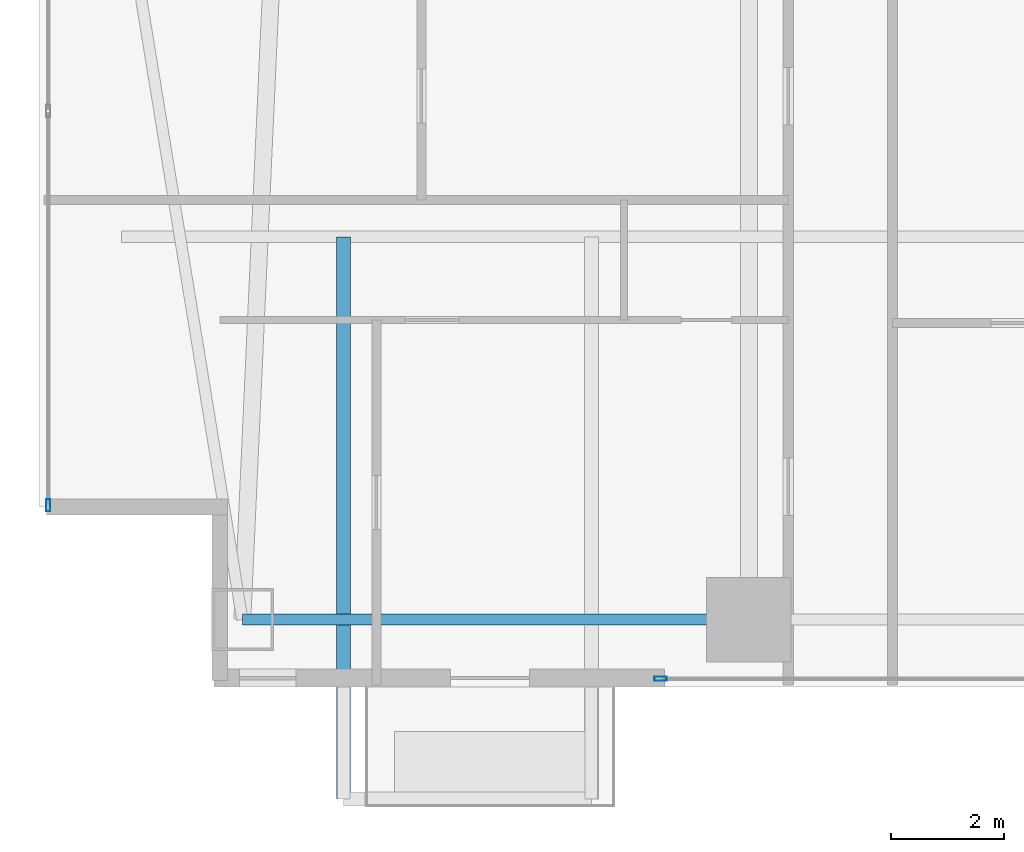
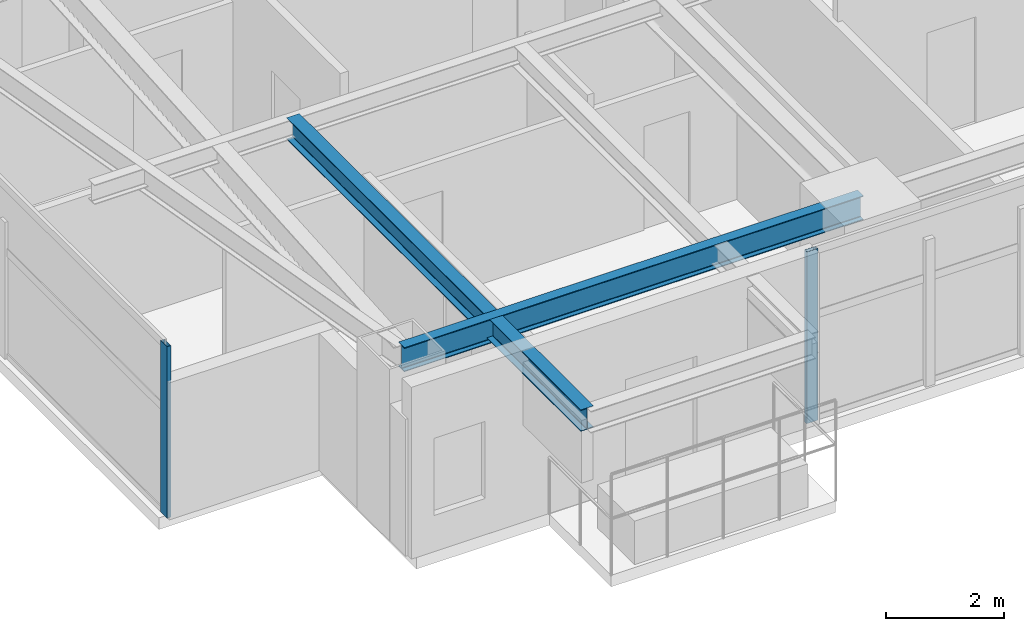
# One storey, part 2 of 29: 2 beams, 2 members, 2 elements without a shape of their own.
"""IFC4 building model written with IfcOpenShell, lengths in metres."""

from ifc_helpers import new_model, si_unit, direction, frame, origin, origin_2d, place, context, subcontext, project, spatial, hollow_rectangle, i_section, extrude, material, layer, layer_set, material_profile, profile_set, type_object, element, aggregate, save


model = new_model("IFC4")

# Units and contexts
model_context = context("Model", 3, precision=1e-05, world=origin(), true_north=direction((0.0, 1.0)))
body_context = subcontext(model_context, "Body", "Model", "MODEL_VIEW")
ifc_project = project(units=[si_unit("LENGTHUNIT", "METRE"), si_unit("AREAUNIT", "SQUARE_METRE"), si_unit("VOLUMEUNIT", "CUBIC_METRE"), si_unit("PLANEANGLEUNIT", "RADIAN"), si_unit("MASSUNIT", "GRAM", prefix="KILO")], contexts=[model_context])

# Site, building, storey
site_placement = place(None, origin())
site = spatial("IfcSite", under=ifc_project, at=site_placement, CompositionType="ELEMENT")
building_placement = place(site_placement, origin())
building = spatial("IfcBuilding", under=site, at=building_placement, Name="Calvorn Quay Hotel", CompositionType="ELEMENT")
storey_placement = place(building_placement, frame((0.0, 0.0, 85.0)))
storey = spatial("IfcBuildingStorey", under=building, at=storey_placement, Name="L20", CompositionType="ELEMENT", Elevation=85.0)

# Beams
ifc_material_1 = material(Name="Steel Q355B", Category="steel")
ifc_material_profile_1 = material_profile(ifc_material_1, i_section(OverallWidth=0.25, OverallDepth=0.449951171875, WebThickness=0.011962890625, FlangeThickness=0.01611328125, FilletRadius=0.01611328125, at=origin_2d()), Name="HN450x250x12x16")
ifc_profile_set_1 = profile_set([ifc_material_profile_1], Name="Steel Q355B")
beam_type_1 = type_object("IfcBeamType", Name="BM-CANT-BALC", PredefinedType="BEAM", material=ifc_profile_set_1)
beam_1_placement = place(storey_placement, frame((5.39990234375, 10.39990234375, 3.31494140625), z_axis=(0.0, -1.0, 0.0), x_axis=(1.0, 0.0, 0.0)))
element("IfcBeam", 1, at=beam_1_placement, inside=storey, type_object=beam_type_1, Name="Cantilever Balcony Beam BCB-L21-2A", PredefinedType="BEAM", context=body_context, shape_type="SweptSolid", body=[
    extrude(i_section(OverallWidth=0.25, OverallDepth=0.449951171875, WebThickness=0.011962890625, FlangeThickness=0.01611328125, FilletRadius=0.01611328125, at=origin_2d()), origin(), (0.0, 0.0, 1.0), 9.989990234375),
])
ifc_material_2 = material(Name="Steel Q355B", Category="steel")
ifc_material_profile_2 = material_profile(ifc_material_2, i_section(OverallWidth=0.199951171875, OverallDepth=0.5, WebThickness=0.010009765625, FlangeThickness=0.01611328125, FilletRadius=0.01611328125, at=origin_2d()), Name="HN500x200x10x16")
ifc_profile_set_2 = profile_set([ifc_material_profile_2], Name="Steel Q355B")
beam_type_2 = type_object("IfcBeamType", Name="BM-SPANDREL-Z1", PredefinedType="SPANDREL", material=ifc_profile_set_2)
beam_2_placement = place(storey_placement, frame((3.60009765625, 3.60009765625, 3.2900390625), z_axis=(1.0, 0.0, 0.0), x_axis=(0.0, 1.0, 0.0)))
element("IfcBeam", 2, at=beam_2_placement, inside=storey, type_object=beam_type_2, Name="Beam BSP-L20-S1", PredefinedType="SPANDREL", context=body_context, shape_type="SweptSolid", body=[
    extrude(i_section(OverallWidth=0.199951171875, OverallDepth=0.5, WebThickness=0.010009765625, FlangeThickness=0.01611328125, FilletRadius=0.01611328125, at=origin_2d()), origin(), (0.0, 0.0, 1.0), 9.0),
])

# Curtain wall, member
ifc_material_3 = material(Name="Pale Anodised Aluminium and Low-E Glass", Category="aluminium")
ifc_layer = layer(ifc_material_3, 0.219970703125)
ifc_layer_set = layer_set([ifc_layer], Name="CW-SYS-Z1")
curtain_wall_type = type_object("IfcCurtainWallType", Name="CW-SYS-Z1", PredefinedType="NOTDEFINED", material=ifc_layer_set)
curtain_wall_1_placement = place(storey_placement, origin())
curtain_wall_1 = element("IfcCurtainWall", 3, at=curtain_wall_1_placement, inside=storey, type_object=curtain_wall_type, Name="Tower West Curtain Wall (L20)", PredefinedType="NOTDEFINED")
ifc_material_4 = material(Name="Pale Anodised Aluminium 6063-T6", Category="aluminium")
ifc_material_profile_3 = material_profile(ifc_material_4, hollow_rectangle(XDim=0.074951171875, YDim=0.219970703125, WallThickness=0.00439453125, at=origin_2d()), Name="ALU-M220x75x4.5")
ifc_profile_set_3 = profile_set([ifc_material_profile_3], Name="Pale Anodised Aluminium 6063-T6")
member_type = type_object("IfcMemberType", Name="CW-SYS-Z1-MUL", PredefinedType="MULLION", material=ifc_profile_set_3)
member_1_placement = place(storey_placement, frame((0.14990234375, 5.6298828125, 0.0), z_axis=(0.0, 0.0, 1.0), x_axis=(-1.0, 0.0, 0.0)))
member_1 = element("IfcMember", 4, at=member_1_placement, type_object=member_type, Name="CW-L20-W mullion 1", PredefinedType="MULLION", context=body_context, shape_type="SweptSolid", body=[
    extrude(hollow_rectangle(XDim=0.074951171875, YDim=0.219970703125, WallThickness=0.00439453125, at=origin_2d()), origin(), (0.0, 0.0, 1.0), 3.56005859375),
])
aggregate(curtain_wall_1, [member_1])

curtain_wall_2_placement = place(storey_placement, origin())
curtain_wall_2 = element("IfcCurtainWall", 5, at=curtain_wall_2_placement, inside=storey, type_object=curtain_wall_type, Name="Tower South Waterfront Curtain Wall (L20)", PredefinedType="NOTDEFINED")
member_2_placement = place(storey_placement, frame((11.030029296875, 2.550048828125, 0.0), z_axis=(0.0, 0.0, 1.0), x_axis=(0.0, 1.0, 0.0)))
member_2 = element("IfcMember", 6, at=member_2_placement, type_object=member_type, Name="CW-L20-S mullion 1", PredefinedType="MULLION", context=body_context, shape_type="SweptSolid", body=[
    extrude(hollow_rectangle(XDim=0.074951171875, YDim=0.219970703125, WallThickness=0.00439453125, at=origin_2d()), origin(), (0.0, 0.0, 1.0), 3.56005859375),
])
aggregate(curtain_wall_2, [member_2])

save(model, "model.ifc")
